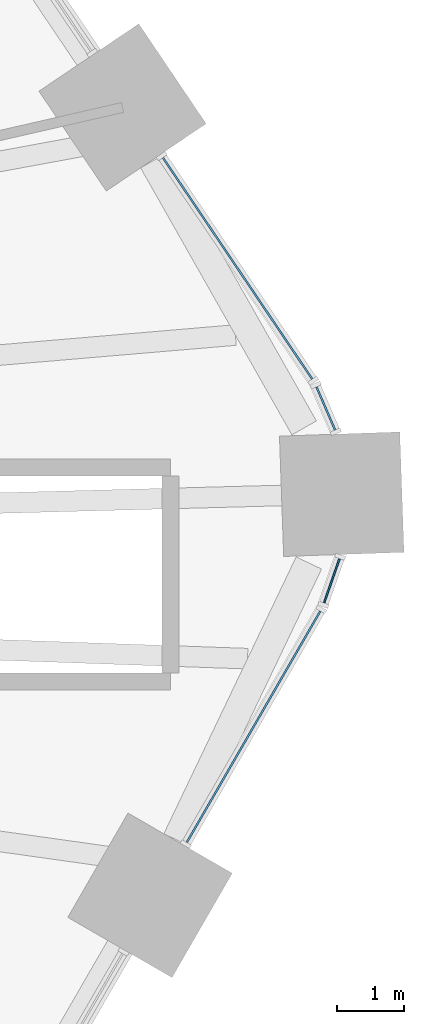
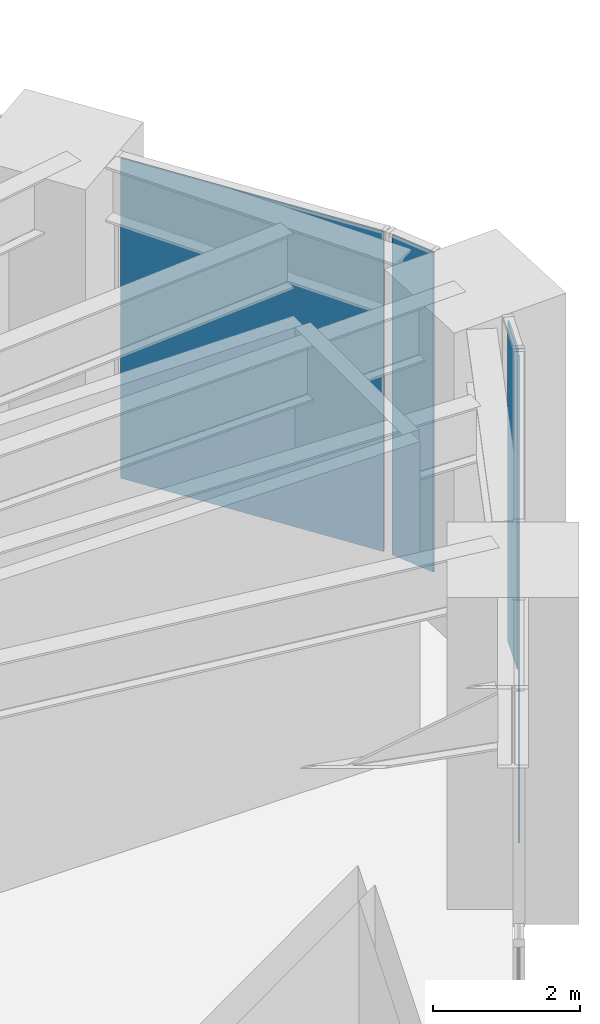
# One storey, part 19 of 25: 4 plates, 4 elements without a shape of their own.
"""IFC4 building model written with IfcOpenShell, lengths in metres."""

from ifc_helpers import new_model, si_unit, direction, frame, origin, origin_2d, place, context, subcontext, project, spatial, rectangle, extrude, material, layer, layer_set, type_object, element, aggregate, save


model = new_model("IFC4")

# Units and contexts
model_context = context("Model", 3, precision=1e-05, world=origin(), true_north=direction((0.0, 1.0)))
body_context = subcontext(model_context, "Body", "Model", "MODEL_VIEW")
ifc_project = project(units=[si_unit("LENGTHUNIT", "METRE"), si_unit("AREAUNIT", "SQUARE_METRE"), si_unit("VOLUMEUNIT", "CUBIC_METRE"), si_unit("PLANEANGLEUNIT", "RADIAN"), si_unit("MASSUNIT", "GRAM", prefix="KILO")], contexts=[model_context])

# Site, building, storey
site_placement = place(None, origin())
site = spatial("IfcSite", under=ifc_project, at=site_placement, CompositionType="ELEMENT")
building_placement = place(site_placement, origin())
building = spatial("IfcBuilding", under=site, at=building_placement, Name="Tarnside Tower", CompositionType="ELEMENT")
storey_placement = place(building_placement, frame((0.0, 0.0, 26.0)))
storey = spatial("IfcBuildingStorey", under=building, at=storey_placement, Name="L04", CompositionType="ELEMENT", Elevation=26.0)

# Curtain wall, plate
ifc_material_1 = material(Name="Retail shopfront glazing wall", Category="glass")
curtain_wall_type = type_object("IfcCurtainWallType", Name="Retail shopfront glazing wall", PredefinedType="NOTDEFINED", material=ifc_material_1)
curtain_wall_1_placement = place(storey_placement, origin())
curtain_wall_1 = element("IfcCurtainWall", 1, at=curtain_wall_1_placement, inside=storey, type_object=curtain_wall_type, Name="Retail shopfront glazing L04 18.0", PredefinedType="NOTDEFINED")
ifc_material_2 = material(Name="Low-iron safety glass", Category="glass")
ifc_layer = layer(ifc_material_2, 0.028076171875)
ifc_layer_set = layer_set([ifc_layer], Name="Retail shopfront glazing panel 28")
plate_type = type_object("IfcPlateType", Name="Retail shopfront glazing panel 28", PredefinedType="CURTAIN_PANEL", material=ifc_layer_set)
plate_1_placement = place(storey_placement, frame((32.365966796875, -2.300537109375, -0.18994140625), z_axis=(0.0, 0.0, 1.0), x_axis=(0.499999999849, 0.866025403872, 0.0)))
plate_1 = element("IfcPlate", 2, at=plate_1_placement, type_object=plate_type, Name="CW2 panel 1.1", PredefinedType="CURTAIN_PANEL", context=body_context, shape_type="SweptSolid", body=[
    extrude(rectangle(XDim=3.991943359375, YDim=0.028076171875, at=origin_2d()), origin(), (0.0, 0.0, 1.0), 5.330078125),
])
aggregate(curtain_wall_1, [plate_1])

curtain_wall_2_placement = place(storey_placement, origin())
curtain_wall_2 = element("IfcCurtainWall", 3, at=curtain_wall_2_placement, inside=storey, type_object=curtain_wall_type, Name="Retail shopfront glazing L04 18.1", PredefinedType="NOTDEFINED")
plate_2_placement = place(storey_placement, frame((33.5361328125, -0.118896484375, -0.18994140625), z_axis=(0.0, 0.0, 1.0), x_axis=(0.331063417649, 0.943608506476, 0.0)))
plate_2 = element("IfcPlate", 4, at=plate_2_placement, type_object=plate_type, Name="CW2 panel 1.1", PredefinedType="CURTAIN_PANEL", context=body_context, shape_type="SweptSolid", body=[
    extrude(rectangle(XDim=0.701416015625, YDim=0.028076171875, at=origin_2d()), origin(), (0.0, 0.0, 1.0), 5.330078125),
])
aggregate(curtain_wall_2, [plate_2])

curtain_wall_3_placement = place(storey_placement, origin())
curtain_wall_3 = element("IfcCurtainWall", 5, at=curtain_wall_3_placement, inside=storey, type_object=curtain_wall_type, Name="Retail shopfront glazing L04 19.0", PredefinedType="NOTDEFINED")
plate_3_placement = place(storey_placement, frame((33.446044921875, 2.4580078125, -0.18994140625), z_axis=(0.0, 0.0, 1.0), x_axis=(-0.396079765761, 0.918216107, 0.0)))
plate_3 = element("IfcPlate", 6, at=plate_3_placement, type_object=plate_type, Name="CW2 panel 1.1", PredefinedType="CURTAIN_PANEL", context=body_context, shape_type="SweptSolid", body=[
    extrude(rectangle(XDim=0.701416015625, YDim=0.028076171875, at=origin_2d()), origin(), (0.0, 0.0, 1.0), 5.330078125),
])
aggregate(curtain_wall_3, [plate_3])

curtain_wall_4_placement = place(storey_placement, origin())
curtain_wall_4 = element("IfcCurtainWall", 7, at=curtain_wall_4_placement, inside=storey, type_object=curtain_wall_type, Name="Retail shopfront glazing L04 19.1", PredefinedType="NOTDEFINED")
plate_4_placement = place(storey_placement, frame((32.126708984375, 4.552734375, -0.18994140625), z_axis=(0.0, 0.0, 1.0), x_axis=(-0.559192903572, 0.829037572487, 0.0)))
plate_4 = element("IfcPlate", 8, at=plate_4_placement, type_object=plate_type, Name="CW2 panel 1.1", PredefinedType="CURTAIN_PANEL", context=body_context, shape_type="SweptSolid", body=[
    extrude(rectangle(XDim=3.991943359375, YDim=0.028076171875, at=origin_2d()), origin(), (0.0, 0.0, 1.0), 5.330078125),
])
aggregate(curtain_wall_4, [plate_4])

save(model, "model.ifc")
